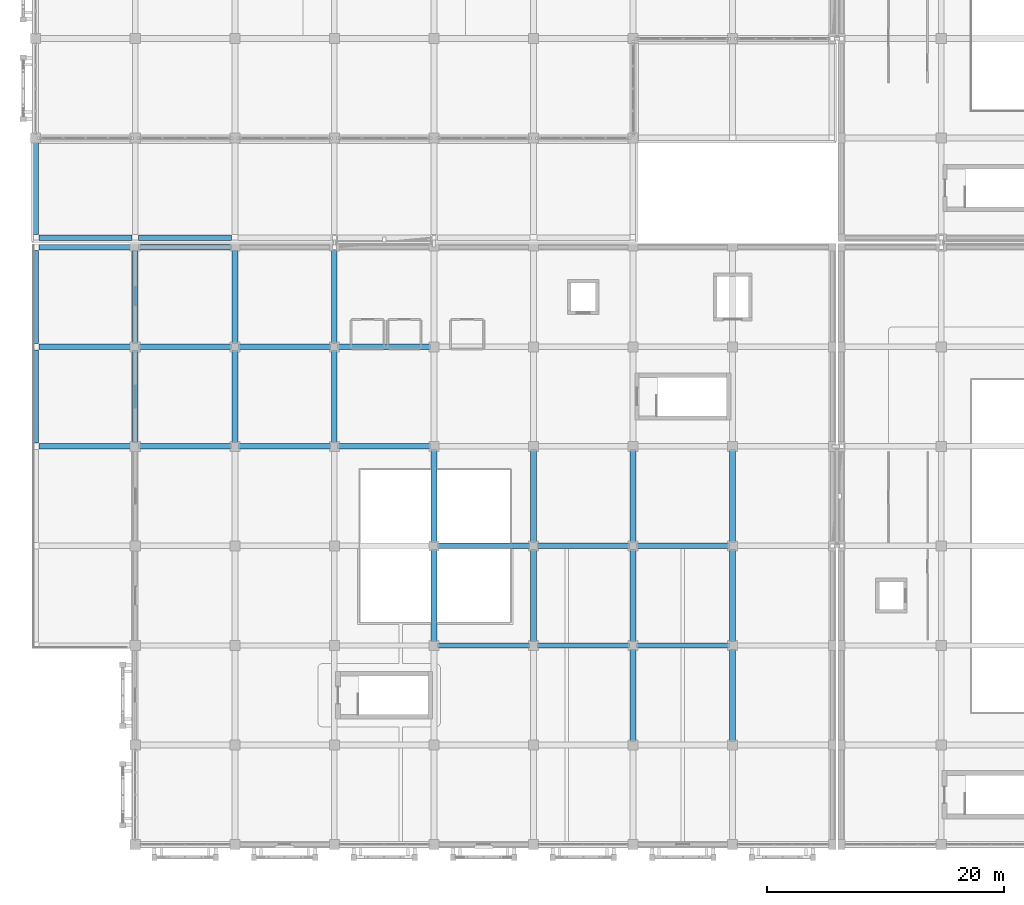
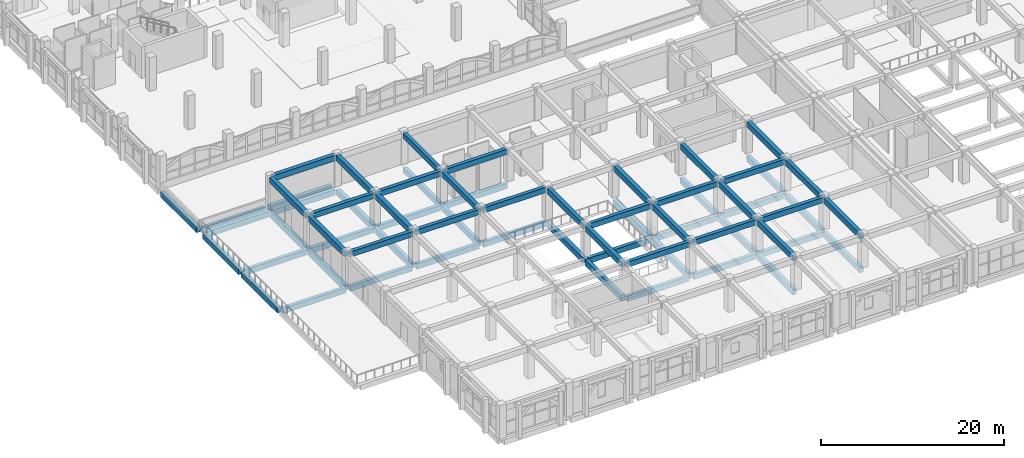
# One storey, part 13 of 129: 66 beams.
"""IFC4 building model written with IfcOpenShell, lengths in metres."""

import ifcopenshell
import ifcopenshell.guid

model = None  # the IFC model being written
_history = None  # IfcOwnerHistory: only IFC2X3 demands one
_inside = {}  # id of a spatial element -> (the spatial element, [elements in it])
_under = {}  # id of a project, library or spatial element -> (it, [spatial elements below it])
_declared = {}  # id of a project -> (the project, [libraries it declares])
_typed = {}  # id of a type object -> (the type object, [elements of that type])
_made_of = {}  # id of a material, layer set ... -> (it, [elements and type objects made of it])


def new_model(schema):
    """Start an empty IFC model of exactly this schema.

    Asked for "IFC4X3", IfcOpenShell would pick the latest addendum, in which some entities
    have other attributes; the version numbers below select the first issue.
    IFC2X3 requires an IfcOwnerHistory on every rooted entity: one is made here for all.
    """
    global model, _history
    if schema == "IFC4X3":
        model = ifcopenshell.file(schema_version=(4, 3, 0, 0))
    else:
        model = ifcopenshell.file(schema=schema)
    _inside.clear()
    _under.clear()
    _declared.clear()
    _typed.clear()
    _made_of.clear()
    _history = None
    if model.schema == "IFC2X3":
        org = make("IfcOrganization", Name="unknown")
        user = make(
            "IfcPersonAndOrganization",
            ThePerson=make("IfcPerson", FamilyName="unknown"),
            TheOrganization=org,
        )
        app = make(
            "IfcApplication",
            ApplicationDeveloper=org,
            Version="unknown",
            ApplicationFullName="unknown",
            ApplicationIdentifier="unknown",
        )
        _history = make(
            "IfcOwnerHistory",
            OwningUser=user,
            OwningApplication=app,
            ChangeAction="ADDED",
            CreationDate=0,
        )
    return model


def make(cls, **values):
    """One entity of the class cls with the attributes given. An attribute that is None is left unset."""
    return model.create_entity(
        cls, **{name: value for name, value in values.items() if value is not None}
    )


def rooted(cls, **values):
    """An entity with a GlobalId (a new one), such as an element, a storey or a relation."""
    return make(cls, GlobalId=ifcopenshell.guid.new(), OwnerHistory=_history, **values)


def si_unit(unit_type, name, prefix=None):
    """IfcSIUnit, for example si_unit("LENGTHUNIT", "METRE", prefix="MILLI")."""
    return make("IfcSIUnit", UnitType=unit_type, Prefix=prefix, Name=name)


def assignment(units):
    """IfcUnitAssignment: the units of a project."""
    return None if units is None else make("IfcUnitAssignment", Units=units)


def point(xyz):
    """IfcCartesianPoint."""
    return None if xyz is None else make("IfcCartesianPoint", Coordinates=xyz)


def direction(xyz):
    """IfcDirection."""
    return None if xyz is None else make("IfcDirection", DirectionRatios=xyz)


def frame(location, z_axis=None, x_axis=None):
    """IfcAxis2Placement3D, a coordinate frame: its origin and axes. An axis left out is left unset."""
    return make(
        "IfcAxis2Placement3D",
        Location=point(location),
        Axis=direction(z_axis),
        RefDirection=direction(x_axis),
    )


def frame_2d(location, x_axis=None):
    """IfcAxis2Placement2D, a coordinate frame in the plane: its origin and x axis."""
    return make(
        "IfcAxis2Placement2D", Location=point(location), RefDirection=direction(x_axis)
    )


def origin():
    """The frame at (0, 0, 0) with its axes left unset."""
    return frame((0.0, 0.0, 0.0))


def origin_2d():
    """The frame at (0, 0) in the plane with its x axis left unset."""
    return frame_2d((0.0, 0.0))


def place(relative_to, where):
    """IfcLocalPlacement: puts the frame where relative to a parent placement (None: the world)."""
    return make(
        "IfcLocalPlacement", PlacementRelTo=relative_to, RelativePlacement=where
    )


def context(
    kind, dimensions, precision=None, world=None, true_north=None, identifier=None
):
    """IfcGeometricRepresentationContext, for example the 3D "Model" context."""
    return make(
        "IfcGeometricRepresentationContext",
        ContextIdentifier=identifier,
        ContextType=kind,
        CoordinateSpaceDimension=dimensions,
        Precision=precision,
        WorldCoordinateSystem=world,
        TrueNorth=true_north,
    )


def subcontext(parent, identifier, kind, view, scale=None):
    """IfcGeometricRepresentationSubContext, for example "Body" below "Model"."""
    return make(
        "IfcGeometricRepresentationSubContext",
        ContextIdentifier=identifier,
        ContextType=kind,
        ParentContext=parent,
        TargetScale=scale,
        TargetView=view,
    )


def project(units=None, contexts=None):
    """IfcProject with its units and contexts."""
    return rooted(
        "IfcProject",
        Name="project",
        RepresentationContexts=contexts,
        UnitsInContext=assignment(units),
    )


def spatial(cls, under=None, at=None, **own):
    """A site, building, storey or space (cls), placed at a placement, below another one or the project."""
    s = rooted(cls, ObjectPlacement=at, **own)
    if under is not None:
        _under.setdefault(under.id(), (under, []))[1].append(s)
    return s


def profile(cls, at=None, kind="AREA", **sizes):
    """A parametric profile (cls). Its sizes go by their IFC names, for example OverallWidth=200.0."""
    return make(cls, ProfileType=kind, Position=at, **sizes)


def rectangle(**sizes):
    """IfcRectangleProfileDef."""
    return profile("IfcRectangleProfileDef", **sizes)


def extrude(swept, where, along, depth):
    """IfcExtrudedAreaSolid: the profile swept, set in the frame where, extruded along a direction by depth."""
    return make(
        "IfcExtrudedAreaSolid",
        SweptArea=swept,
        Position=where,
        ExtrudedDirection=direction(along),
        Depth=depth,
    )


def shape(context_of_items, identifier, shape_type, items):
    """IfcShapeRepresentation: the items that make up one representation, for example the "Body"."""
    return make(
        "IfcShapeRepresentation",
        ContextOfItems=context_of_items,
        RepresentationIdentifier=identifier,
        RepresentationType=shape_type,
        Items=items,
    )


def material(Name=None, Category=None):
    """IfcMaterial."""
    return make("IfcMaterial", Name=Name, Category=Category)


def material_profile(
    of_material, cross_section, Name=None, Category=None, Priority=None
):
    """IfcMaterialProfile: a cross section and its material."""
    return make(
        "IfcMaterialProfile",
        Name=Name,
        Material=of_material,
        Profile=cross_section,
        Priority=Priority,
        Category=Category,
    )


def profile_set(profiles, Name=None, composite=None):
    """IfcMaterialProfileSet."""
    return make(
        "IfcMaterialProfileSet",
        Name=Name,
        MaterialProfiles=profiles,
        CompositeProfile=composite,
    )


def made_of(thing, what):
    """Note that an element or type object is made of a material, layer set ...; save() writes the relation."""
    if what is not None:
        _made_of.setdefault(what.id(), (what, []))[1].append(thing)
    return thing


def type_object(cls, material=None, **own):
    """A type object (cls), such as IfcWallType, which elements share."""
    return made_of(rooted(cls, **own), material)


def element(
    cls,
    number,
    at=None,
    inside=None,
    cuts=None,
    type_object=None,
    material=None,
    context=None,
    identifier="Body",
    shape_type=None,
    held_by="IfcProductDefinitionShape",
    body=None,
    shapes=None,
    **own,
):
    """One element of the class cls, such as IfcWall. Its Tag is "e" and its number.

    at: its placement. inside: the storey or other place that contains it. cuts: it is an
    opening in that element (IfcRelVoidsElement). A single representation is given by context,
    identifier, shape_type and body (its items); several are given by shapes. held_by: the class
    of the entity that holds the representations. save() writes the other relations.
    """
    e = rooted(cls, Tag="e%d" % number, ObjectPlacement=at, **own)
    if body is not None:
        shapes = [shape(context, identifier, shape_type, body)]
    if shapes is not None:
        e.Representation = make(held_by, Representations=shapes)
    if inside is not None:
        _inside.setdefault(inside.id(), (inside, []))[1].append(e)
    if cuts is not None:
        rooted(
            "IfcRelVoidsElement", RelatingBuildingElement=cuts, RelatedOpeningElement=e
        )
    if type_object is not None:
        _typed.setdefault(type_object.id(), (type_object, []))[1].append(e)
    return made_of(e, material)


def aggregate(whole, parts):
    """IfcRelAggregates: a whole, such as a stair, and the parts it consists of."""
    return rooted("IfcRelAggregates", RelatingObject=whole, RelatedObjects=parts)


def save(model, path):
    """Write the relations noted so far, then the file.

    IfcRelAggregates (storeys below a building ...), IfcRelContainedInSpatialStructure (elements
    in a storey), IfcRelDefinesByType, IfcRelAssociatesMaterial and IfcRelDeclares: one each for
    every whole, place, type object, material and project.
    """
    for whole, parts in _under.values():
        aggregate(whole, parts)
    for where, things in _inside.values():
        rooted(
            "IfcRelContainedInSpatialStructure",
            RelatedElements=things,
            RelatingStructure=where,
        )
    for kind, things in _typed.values():
        rooted("IfcRelDefinesByType", RelatedObjects=things, RelatingType=kind)
    for what, things in _made_of.values():
        rooted("IfcRelAssociatesMaterial", RelatedObjects=things, RelatingMaterial=what)
    for by, libraries in _declared.values():
        rooted("IfcRelDeclares", RelatingContext=by, RelatedDefinitions=libraries)
    model.write(path)


model = new_model("IFC4")

# Units and contexts
model_context = context("Model", 3, precision=1e-05, world=origin(), true_north=direction((0.0, 1.0)))
body_context = subcontext(model_context, "Body", "Model", "MODEL_VIEW")
ifc_project = project(units=[si_unit("LENGTHUNIT", "METRE"), si_unit("AREAUNIT", "SQUARE_METRE"), si_unit("VOLUMEUNIT", "CUBIC_METRE"), si_unit("PLANEANGLEUNIT", "RADIAN"), si_unit("MASSUNIT", "GRAM", prefix="KILO")], contexts=[model_context])

# Site, building, storey
site_placement = place(None, origin())
site = spatial("IfcSite", under=ifc_project, at=site_placement, CompositionType="ELEMENT")
building_placement = place(site_placement, origin())
building = spatial("IfcBuilding", under=site, at=building_placement, Name="Xazarin Passage Department Store", CompositionType="ELEMENT")
storey_placement = place(building_placement, frame((0.0, 0.0, 9.89990234375)))
storey = spatial("IfcBuildingStorey", under=building, at=storey_placement, Name="L02", CompositionType="ELEMENT", Elevation=9.89990234375)

# Beams
ifc_material = material(Name="Concrete C35/45", Category="concrete")
ifc_material_profile_1 = material_profile(ifc_material, rectangle(XDim=0.449951171875, YDim=0.699951171875, at=origin_2d()), Name="RC 450x700")
ifc_profile_set_1 = profile_set([ifc_material_profile_1], Name="Concrete C35/45")
beam_type_1 = type_object("IfcBeamType", Name="STR-BM-G450x700", PredefinedType="BEAM", material=ifc_profile_set_1)
for number, where, z_axis, x_axis, name in (
    (1, (33.8798828125, 16.800048828125, -0.669921875), (1.0, 0.0, 0.0), (0.0, 1.0, 0.0), "L02 Grid Beam C/5-6"),
    (2, (42.280029296875, 16.800048828125, -0.669921875), (1.0, 0.0, 0.0), (0.0, 1.0, 0.0), "L02 Grid Beam C/6-7"),
    (3, (50.679931640625, 16.800048828125, -0.669921875), (1.0, 0.0, 0.0), (0.0, 1.0, 0.0), "L02 Grid Beam C/7-8"),
    (4, (33.8798828125, 25.199951171875, -0.669921875), (1.0, 0.0, 0.0), (0.0, 1.0, 0.0), "L02 Grid Beam D/5-6"),
    (5, (42.280029296875, 25.199951171875, -0.669921875), (1.0, 0.0, 0.0), (0.0, 1.0, 0.0), "L02 Grid Beam D/6-7"),
    (6, (50.679931640625, 25.199951171875, -0.669921875), (1.0, 0.0, 0.0), (0.0, 1.0, 0.0), "L02 Grid Beam D/7-8"),
    (7, (0.280029296875, 33.60009765625, -0.669921875), (1.0, 0.0, 0.0), (0.0, 1.0, 0.0), "L02 Grid Beam E/1-2"),
    (8, (8.679931640625, 33.60009765625, -0.669921875), (1.0, 0.0, 0.0), (0.0, 1.0, 0.0), "L02 Grid Beam E/2-3"),
):
    element("IfcBeam", number, at=place(storey_placement, frame(where, z_axis=z_axis, x_axis=x_axis)), inside=storey, type_object=beam_type_1, Name=name, PredefinedType="BEAM", context=body_context, shape_type="SweptSolid", body=[
        extrude(rectangle(XDim=0.449951171875, YDim=0.699951171875, at=origin_2d()), origin(), (0.0, 0.0, 1.0), 7.840087890625),
    ])
beam_1_placement = place(storey_placement, frame((17.080078125, 33.60009765625, -0.669921875), z_axis=(1.0, 0.0, 0.0), x_axis=(0.0, 1.0, 0.0)))
element("IfcBeam", 9, at=beam_1_placement, inside=storey, type_object=beam_type_1, Name="L02 Grid Beam E/3-4", PredefinedType="BEAM", context=body_context, shape_type="SweptSolid", body=[
    extrude(rectangle(XDim=0.449951171875, YDim=0.699951171875, at=origin_2d()), origin(), (0.0, 0.0, 1.0), 7.83984375),
])
for number, where, z_axis, x_axis, name in (
    (10, (25.47998046875, 33.60009765625, -0.669921875), (1.0, 0.0, 0.0), (0.0, 1.0, 0.0), "L02 Grid Beam E/4-5"),
    (11, (0.280029296875, 42.0, -0.669921875), (1.0, 0.0, 0.0), (0.0, 1.0, 0.0), "L02 Grid Beam F/1-2"),
    (12, (8.679931640625, 42.0, -0.669921875), (1.0, 0.0, 0.0), (0.0, 1.0, 0.0), "L02 Grid Beam F/2-3"),
):
    element("IfcBeam", number, at=place(storey_placement, frame(where, z_axis=z_axis, x_axis=x_axis)), inside=storey, type_object=beam_type_1, Name=name, PredefinedType="BEAM", context=body_context, shape_type="SweptSolid", body=[
        extrude(rectangle(XDim=0.449951171875, YDim=0.699951171875, at=origin_2d()), origin(), (0.0, 0.0, 1.0), 7.840087890625),
    ])
beam_2_placement = place(storey_placement, frame((17.080078125, 42.0, -0.669921875), z_axis=(1.0, 0.0, 0.0), x_axis=(0.0, 1.0, 0.0)))
element("IfcBeam", 13, at=beam_2_placement, inside=storey, type_object=beam_type_1, Name="L02 Grid Beam F/3-4", PredefinedType="BEAM", context=body_context, shape_type="SweptSolid", body=[
    extrude(rectangle(XDim=0.449951171875, YDim=0.699951171875, at=origin_2d()), origin(), (0.0, 0.0, 1.0), 7.83984375),
])
for number, where, z_axis, x_axis, name in (
    (14, (25.47998046875, 42.0, -0.669921875), (1.0, 0.0, 0.0), (0.0, 1.0, 0.0), "L02 Grid Beam F/4-5"),
    (15, (25.199951171875, 33.8798828125, -0.669921875), (0.0, 1.0, 0.0), (-1.0, 0.0, 0.0), "L02 Grid Beam 4/E-F"),
    (16, (25.199951171875, 42.280029296875, -0.669921875), (0.0, 1.0, 0.0), (-1.0, 0.0, 0.0), "L02 Grid Beam 4/F-G"),
    (17, (33.8798828125, 16.800048828125, 3.89013671875), (1.0, 0.0, 0.0), (0.0, 1.0, 0.0), "L02 Grid Beam C/5-6"),
    (18, (42.280029296875, 16.800048828125, 3.89013671875), (1.0, 0.0, 0.0), (0.0, 1.0, 0.0), "L02 Grid Beam C/6-7"),
    (19, (50.679931640625, 16.800048828125, 3.89013671875), (1.0, 0.0, 0.0), (0.0, 1.0, 0.0), "L02 Grid Beam C/7-8"),
    (20, (33.8798828125, 25.199951171875, 3.89013671875), (1.0, 0.0, 0.0), (0.0, 1.0, 0.0), "L02 Grid Beam D/5-6"),
    (21, (42.280029296875, 25.199951171875, 3.89013671875), (1.0, 0.0, 0.0), (0.0, 1.0, 0.0), "L02 Grid Beam D/6-7"),
    (22, (50.679931640625, 25.199951171875, 3.89013671875), (1.0, 0.0, 0.0), (0.0, 1.0, 0.0), "L02 Grid Beam D/7-8"),
    (23, (8.679931640625, 33.60009765625, 3.89013671875), (1.0, 0.0, 0.0), (0.0, 1.0, 0.0), "L02 Grid Beam E/2-3"),
):
    element("IfcBeam", number, at=place(storey_placement, frame(where, z_axis=z_axis, x_axis=x_axis)), inside=storey, type_object=beam_type_1, Name=name, PredefinedType="BEAM", context=body_context, shape_type="SweptSolid", body=[
        extrude(rectangle(XDim=0.449951171875, YDim=0.699951171875, at=origin_2d()), origin(), (0.0, 0.0, 1.0), 7.840087890625),
    ])
beam_3_placement = place(storey_placement, frame((17.080078125, 33.60009765625, 3.89013671875), z_axis=(1.0, 0.0, 0.0), x_axis=(0.0, 1.0, 0.0)))
element("IfcBeam", 24, at=beam_3_placement, inside=storey, type_object=beam_type_1, Name="L02 Grid Beam E/3-4", PredefinedType="BEAM", context=body_context, shape_type="SweptSolid", body=[
    extrude(rectangle(XDim=0.449951171875, YDim=0.699951171875, at=origin_2d()), origin(), (0.0, 0.0, 1.0), 7.83984375),
])
for number, where, z_axis, x_axis, name in (
    (25, (25.47998046875, 33.60009765625, 3.89013671875), (1.0, 0.0, 0.0), (0.0, 1.0, 0.0), "L02 Grid Beam E/4-5"),
    (26, (8.679931640625, 42.0, 3.89013671875), (1.0, 0.0, 0.0), (0.0, 1.0, 0.0), "L02 Grid Beam F/2-3"),
):
    element("IfcBeam", number, at=place(storey_placement, frame(where, z_axis=z_axis, x_axis=x_axis)), inside=storey, type_object=beam_type_1, Name=name, PredefinedType="BEAM", context=body_context, shape_type="SweptSolid", body=[
        extrude(rectangle(XDim=0.449951171875, YDim=0.699951171875, at=origin_2d()), origin(), (0.0, 0.0, 1.0), 7.840087890625),
    ])
beam_4_placement = place(storey_placement, frame((17.080078125, 42.0, 3.89013671875), z_axis=(1.0, 0.0, 0.0), x_axis=(0.0, 1.0, 0.0)))
element("IfcBeam", 27, at=beam_4_placement, inside=storey, type_object=beam_type_1, Name="L02 Grid Beam F/3-4", PredefinedType="BEAM", context=body_context, shape_type="SweptSolid", body=[
    extrude(rectangle(XDim=0.449951171875, YDim=0.699951171875, at=origin_2d()), origin(), (0.0, 0.0, 1.0), 7.83984375),
])
for number, where, z_axis, x_axis, name in (
    (28, (25.47998046875, 42.0, 3.89013671875), (1.0, 0.0, 0.0), (0.0, 1.0, 0.0), "L02 Grid Beam F/4-5"),
    (29, (25.199951171875, 33.8798828125, 3.89013671875), (0.0, 1.0, 0.0), (-1.0, 0.0, 0.0), "L02 Grid Beam 4/E-F"),
    (30, (25.199951171875, 42.280029296875, 3.89013671875), (0.0, 1.0, 0.0), (-1.0, 0.0, 0.0), "L02 Grid Beam 4/F-G"),
):
    element("IfcBeam", number, at=place(storey_placement, frame(where, z_axis=z_axis, x_axis=x_axis)), inside=storey, type_object=beam_type_1, Name=name, PredefinedType="BEAM", context=body_context, shape_type="SweptSolid", body=[
        extrude(rectangle(XDim=0.449951171875, YDim=0.699951171875, at=origin_2d()), origin(), (0.0, 0.0, 1.0), 7.840087890625),
    ])
ifc_material_profile_2 = material_profile(ifc_material, rectangle(XDim=0.5, YDim=0.75, at=origin_2d()), Name="RC 500x750")
ifc_profile_set_2 = profile_set([ifc_material_profile_2], Name="Concrete C35/45")
beam_type_2 = type_object("IfcBeamType", Name="STR-BM-SP500x750", PredefinedType="SPANDREL", material=ifc_profile_set_2)
for number, where, z_axis, x_axis, name in (
    (31, (0.280029296875, 51.199951171875, -0.6748046875), (1.0, 0.0, 0.0), (0.0, 1.0, 0.0), "L02 Grid Beam H/1-2"),
    (32, (8.679931640625, 51.199951171875, -0.6748046875), (1.0, 0.0, 0.0), (0.0, 1.0, 0.0), "L02 Grid Beam H/2-3"),
    (33, (0.0, 51.47998046875, -0.6748046875), (0.0, 1.0, 0.0), (-1.0, 0.0, 0.0), "L02 Grid Beam 1/H-J"),
    (34, (0.280029296875, 50.39990234375, -0.69482421875), (1.0, 0.0, 0.0), (0.0, 1.0, 0.0), "L02 Grid Beam G/1-2"),
    (35, (8.679931640625, 50.39990234375, -0.69482421875), (1.0, 0.0, 0.0), (0.0, 1.0, 0.0), "L02 Grid Beam G/2-3"),
    (36, (0.0, 33.8798828125, -0.69482421875), (0.0, 1.0, 0.0), (-1.0, 0.0, 0.0), "L02 Grid Beam 1/E-F"),
    (37, (0.0, 42.280029296875, -0.69482421875), (0.0, 1.0, 0.0), (-1.0, 0.0, 0.0), "L02 Grid Beam 1/F-G"),
    (38, (8.39990234375, 33.8798828125, -0.69482421875), (0.0, 1.0, 0.0), (-1.0, 0.0, 0.0), "L02 Grid Beam 2/E-F"),
    (39, (8.39990234375, 42.280029296875, -0.69482421875), (0.0, 1.0, 0.0), (-1.0, 0.0, 0.0), "L02 Grid Beam 2/F-G"),
    (40, (16.800048828125, 33.8798828125, -0.69482421875), (0.0, 1.0, 0.0), (-1.0, 0.0, 0.0), "L02 Grid Beam 3/E-F"),
    (41, (16.800048828125, 42.280029296875, -0.69482421875), (0.0, 1.0, 0.0), (-1.0, 0.0, 0.0), "L02 Grid Beam 3/F-G"),
):
    element("IfcBeam", number, at=place(storey_placement, frame(where, z_axis=z_axis, x_axis=x_axis)), inside=storey, type_object=beam_type_2, Name=name, PredefinedType="SPANDREL", context=body_context, shape_type="SweptSolid", body=[
        extrude(rectangle(XDim=0.5, YDim=0.75, at=origin_2d()), origin(), (0.0, 0.0, 1.0), 7.840087890625),
    ])
beam_5_placement = place(storey_placement, frame((33.60009765625, 17.080078125, -0.69482421875), z_axis=(0.0, 1.0, 0.0), x_axis=(-1.0, 0.0, 0.0)))
element("IfcBeam", 42, at=beam_5_placement, inside=storey, type_object=beam_type_2, Name="L02 Grid Beam 5/C-D", PredefinedType="SPANDREL", context=body_context, shape_type="SweptSolid", body=[
    extrude(rectangle(XDim=0.5, YDim=0.75, at=origin_2d()), origin(), (0.0, 0.0, 1.0), 7.83984375),
])
beam_6_placement = place(storey_placement, frame((33.60009765625, 25.47998046875, -0.69482421875), z_axis=(0.0, 1.0, 0.0), x_axis=(-1.0, 0.0, 0.0)))
element("IfcBeam", 43, at=beam_6_placement, inside=storey, type_object=beam_type_2, Name="L02 Grid Beam 5/D-E", PredefinedType="SPANDREL", context=body_context, shape_type="SweptSolid", body=[
    extrude(rectangle(XDim=0.5, YDim=0.75, at=origin_2d()), origin(), (0.0, 0.0, 1.0), 7.840087890625),
])
beam_7_placement = place(storey_placement, frame((42.0, 17.080078125, -0.69482421875), z_axis=(0.0, 1.0, 0.0), x_axis=(-1.0, 0.0, 0.0)))
element("IfcBeam", 44, at=beam_7_placement, inside=storey, type_object=beam_type_2, Name="L02 Grid Beam 6/C-D", PredefinedType="SPANDREL", context=body_context, shape_type="SweptSolid", body=[
    extrude(rectangle(XDim=0.5, YDim=0.75, at=origin_2d()), origin(), (0.0, 0.0, 1.0), 7.83984375),
])
for number, where, z_axis, x_axis, name in (
    (45, (42.0, 25.47998046875, -0.69482421875), (0.0, 1.0, 0.0), (-1.0, 0.0, 0.0), "L02 Grid Beam 6/D-E"),
    (46, (50.39990234375, 8.679931640625, -0.69482421875), (0.0, 1.0, 0.0), (-1.0, 0.0, 0.0), "L02 Grid Beam 7/B-C"),
):
    element("IfcBeam", number, at=place(storey_placement, frame(where, z_axis=z_axis, x_axis=x_axis)), inside=storey, type_object=beam_type_2, Name=name, PredefinedType="SPANDREL", context=body_context, shape_type="SweptSolid", body=[
        extrude(rectangle(XDim=0.5, YDim=0.75, at=origin_2d()), origin(), (0.0, 0.0, 1.0), 7.840087890625),
    ])
beam_8_placement = place(storey_placement, frame((50.39990234375, 17.080078125, -0.69482421875), z_axis=(0.0, 1.0, 0.0), x_axis=(-1.0, 0.0, 0.0)))
element("IfcBeam", 47, at=beam_8_placement, inside=storey, type_object=beam_type_2, Name="L02 Grid Beam 7/C-D", PredefinedType="SPANDREL", context=body_context, shape_type="SweptSolid", body=[
    extrude(rectangle(XDim=0.5, YDim=0.75, at=origin_2d()), origin(), (0.0, 0.0, 1.0), 7.83984375),
])
for number, where, z_axis, x_axis, name in (
    (48, (50.39990234375, 25.47998046875, -0.69482421875), (0.0, 1.0, 0.0), (-1.0, 0.0, 0.0), "L02 Grid Beam 7/D-E"),
    (49, (58.800048828125, 8.679931640625, -0.69482421875), (0.0, 1.0, 0.0), (-1.0, 0.0, 0.0), "L02 Grid Beam 8/B-C"),
):
    element("IfcBeam", number, at=place(storey_placement, frame(where, z_axis=z_axis, x_axis=x_axis)), inside=storey, type_object=beam_type_2, Name=name, PredefinedType="SPANDREL", context=body_context, shape_type="SweptSolid", body=[
        extrude(rectangle(XDim=0.5, YDim=0.75, at=origin_2d()), origin(), (0.0, 0.0, 1.0), 7.840087890625),
    ])
beam_9_placement = place(storey_placement, frame((58.800048828125, 17.080078125, -0.69482421875), z_axis=(0.0, 1.0, 0.0), x_axis=(-1.0, 0.0, 0.0)))
element("IfcBeam", 50, at=beam_9_placement, inside=storey, type_object=beam_type_2, Name="L02 Grid Beam 8/C-D", PredefinedType="SPANDREL", context=body_context, shape_type="SweptSolid", body=[
    extrude(rectangle(XDim=0.5, YDim=0.75, at=origin_2d()), origin(), (0.0, 0.0, 1.0), 7.83984375),
])
for number, where, z_axis, x_axis, name in (
    (51, (58.800048828125, 25.47998046875, -0.69482421875), (0.0, 1.0, 0.0), (-1.0, 0.0, 0.0), "L02 Grid Beam 8/D-E"),
    (52, (8.679931640625, 50.39990234375, 3.864990234375), (1.0, 0.0, 0.0), (0.0, 1.0, 0.0), "L02 Grid Beam G/2-3"),
    (53, (8.39990234375, 33.8798828125, 3.864990234375), (0.0, 1.0, 0.0), (-1.0, 0.0, 0.0), "L02 Grid Beam 2/E-F"),
    (54, (8.39990234375, 42.280029296875, 3.864990234375), (0.0, 1.0, 0.0), (-1.0, 0.0, 0.0), "L02 Grid Beam 2/F-G"),
    (55, (16.800048828125, 33.8798828125, 3.864990234375), (0.0, 1.0, 0.0), (-1.0, 0.0, 0.0), "L02 Grid Beam 3/E-F"),
    (56, (16.800048828125, 42.280029296875, 3.864990234375), (0.0, 1.0, 0.0), (-1.0, 0.0, 0.0), "L02 Grid Beam 3/F-G"),
):
    element("IfcBeam", number, at=place(storey_placement, frame(where, z_axis=z_axis, x_axis=x_axis)), inside=storey, type_object=beam_type_2, Name=name, PredefinedType="SPANDREL", context=body_context, shape_type="SweptSolid", body=[
        extrude(rectangle(XDim=0.5, YDim=0.75, at=origin_2d()), origin(), (0.0, 0.0, 1.0), 7.840087890625),
    ])
beam_10_placement = place(storey_placement, frame((33.60009765625, 17.080078125, 3.864990234375), z_axis=(0.0, 1.0, 0.0), x_axis=(-1.0, 0.0, 0.0)))
element("IfcBeam", 57, at=beam_10_placement, inside=storey, type_object=beam_type_2, Name="L02 Grid Beam 5/C-D", PredefinedType="SPANDREL", context=body_context, shape_type="SweptSolid", body=[
    extrude(rectangle(XDim=0.5, YDim=0.75, at=origin_2d()), origin(), (0.0, 0.0, 1.0), 7.83984375),
])
beam_11_placement = place(storey_placement, frame((33.60009765625, 25.47998046875, 3.864990234375), z_axis=(0.0, 1.0, 0.0), x_axis=(-1.0, 0.0, 0.0)))
element("IfcBeam", 58, at=beam_11_placement, inside=storey, type_object=beam_type_2, Name="L02 Grid Beam 5/D-E", PredefinedType="SPANDREL", context=body_context, shape_type="SweptSolid", body=[
    extrude(rectangle(XDim=0.5, YDim=0.75, at=origin_2d()), origin(), (0.0, 0.0, 1.0), 7.840087890625),
])
beam_12_placement = place(storey_placement, frame((42.0, 17.080078125, 3.864990234375), z_axis=(0.0, 1.0, 0.0), x_axis=(-1.0, 0.0, 0.0)))
element("IfcBeam", 59, at=beam_12_placement, inside=storey, type_object=beam_type_2, Name="L02 Grid Beam 6/C-D", PredefinedType="SPANDREL", context=body_context, shape_type="SweptSolid", body=[
    extrude(rectangle(XDim=0.5, YDim=0.75, at=origin_2d()), origin(), (0.0, 0.0, 1.0), 7.83984375),
])
for number, where, z_axis, x_axis, name in (
    (60, (42.0, 25.47998046875, 3.864990234375), (0.0, 1.0, 0.0), (-1.0, 0.0, 0.0), "L02 Grid Beam 6/D-E"),
    (61, (50.39990234375, 8.679931640625, 3.864990234375), (0.0, 1.0, 0.0), (-1.0, 0.0, 0.0), "L02 Grid Beam 7/B-C"),
):
    element("IfcBeam", number, at=place(storey_placement, frame(where, z_axis=z_axis, x_axis=x_axis)), inside=storey, type_object=beam_type_2, Name=name, PredefinedType="SPANDREL", context=body_context, shape_type="SweptSolid", body=[
        extrude(rectangle(XDim=0.5, YDim=0.75, at=origin_2d()), origin(), (0.0, 0.0, 1.0), 7.840087890625),
    ])
beam_13_placement = place(storey_placement, frame((50.39990234375, 17.080078125, 3.864990234375), z_axis=(0.0, 1.0, 0.0), x_axis=(-1.0, 0.0, 0.0)))
element("IfcBeam", 62, at=beam_13_placement, inside=storey, type_object=beam_type_2, Name="L02 Grid Beam 7/C-D", PredefinedType="SPANDREL", context=body_context, shape_type="SweptSolid", body=[
    extrude(rectangle(XDim=0.5, YDim=0.75, at=origin_2d()), origin(), (0.0, 0.0, 1.0), 7.83984375),
])
for number, where, z_axis, x_axis, name in (
    (63, (50.39990234375, 25.47998046875, 3.864990234375), (0.0, 1.0, 0.0), (-1.0, 0.0, 0.0), "L02 Grid Beam 7/D-E"),
    (64, (58.800048828125, 8.679931640625, 3.864990234375), (0.0, 1.0, 0.0), (-1.0, 0.0, 0.0), "L02 Grid Beam 8/B-C"),
):
    element("IfcBeam", number, at=place(storey_placement, frame(where, z_axis=z_axis, x_axis=x_axis)), inside=storey, type_object=beam_type_2, Name=name, PredefinedType="SPANDREL", context=body_context, shape_type="SweptSolid", body=[
        extrude(rectangle(XDim=0.5, YDim=0.75, at=origin_2d()), origin(), (0.0, 0.0, 1.0), 7.840087890625),
    ])
beam_14_placement = place(storey_placement, frame((58.800048828125, 17.080078125, 3.864990234375), z_axis=(0.0, 1.0, 0.0), x_axis=(-1.0, 0.0, 0.0)))
element("IfcBeam", 65, at=beam_14_placement, inside=storey, type_object=beam_type_2, Name="L02 Grid Beam 8/C-D", PredefinedType="SPANDREL", context=body_context, shape_type="SweptSolid", body=[
    extrude(rectangle(XDim=0.5, YDim=0.75, at=origin_2d()), origin(), (0.0, 0.0, 1.0), 7.83984375),
])
beam_15_placement = place(storey_placement, frame((58.800048828125, 25.47998046875, 3.864990234375), z_axis=(0.0, 1.0, 0.0), x_axis=(-1.0, 0.0, 0.0)))
element("IfcBeam", 66, at=beam_15_placement, inside=storey, type_object=beam_type_2, Name="L02 Grid Beam 8/D-E", PredefinedType="SPANDREL", context=body_context, shape_type="SweptSolid", body=[
    extrude(rectangle(XDim=0.5, YDim=0.75, at=origin_2d()), origin(), (0.0, 0.0, 1.0), 7.840087890625),
])

save(model, "model.ifc")
